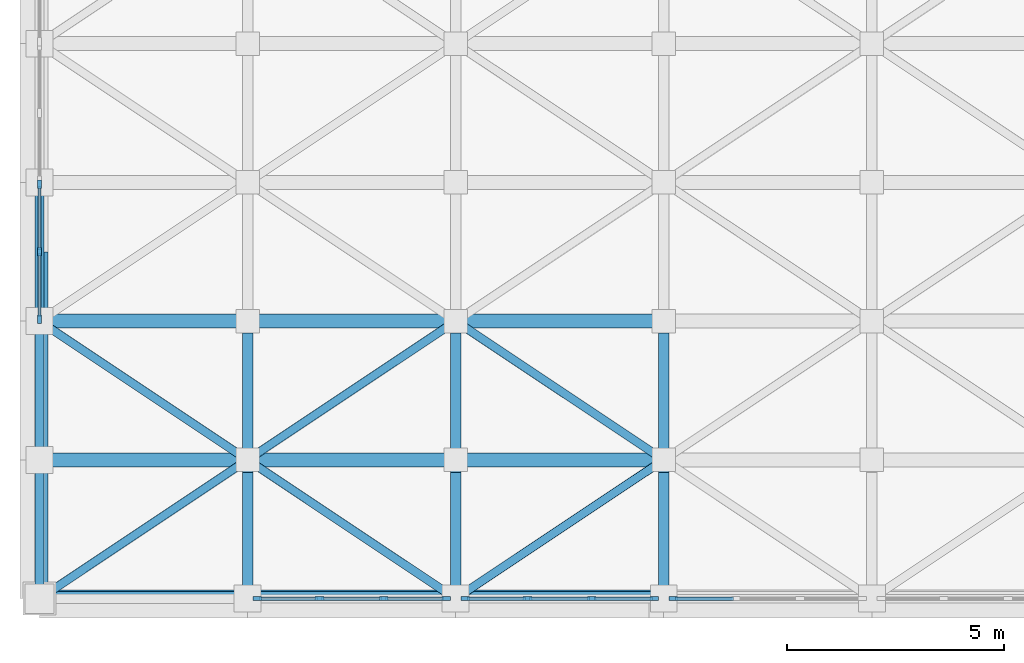
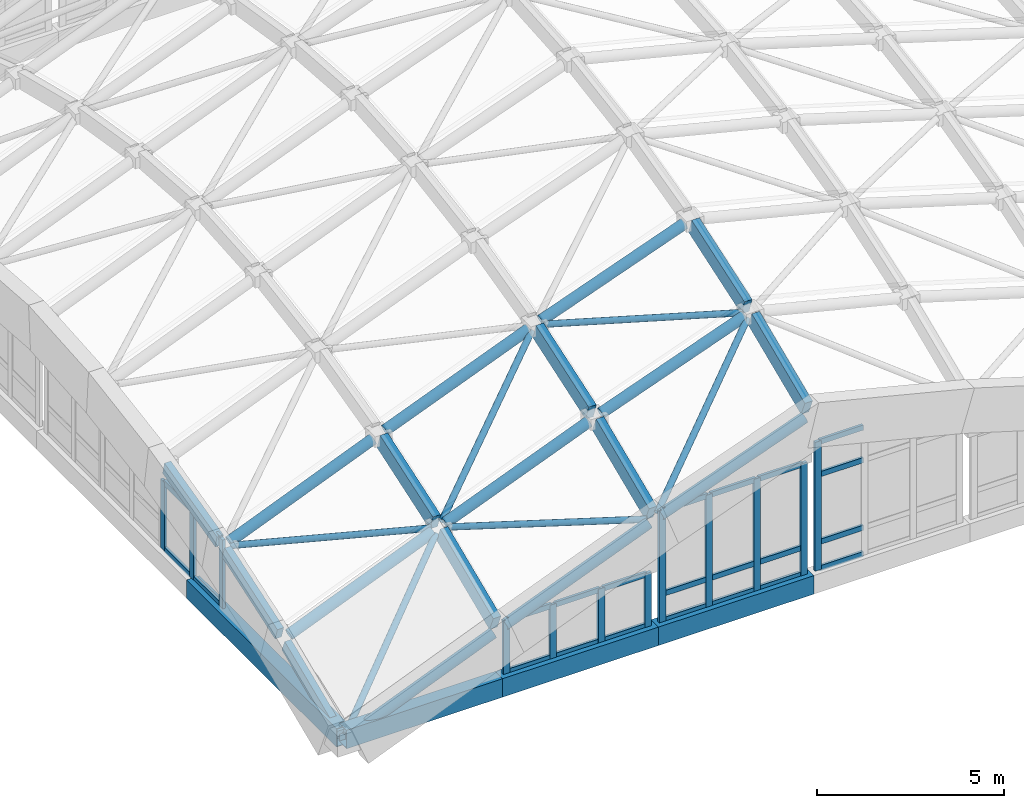
# One storey, part 2 of 14: 59 members, 4 beams, 4 elements without a shape of their own.
"""IFC4 building model written with IfcOpenShell, lengths in metres."""

from ifc_helpers import new_model, si_unit, direction, frame, origin, origin_2d, place, context, subcontext, project, spatial, rectangle, hollow_rectangle, hollow_circle, extrude, material, material_profile, profile_set, type_object, element, aggregate, save


model = new_model("IFC4")

# Units and contexts
model_context = context("Model", 3, precision=1e-05, world=origin(), true_north=direction((0.0, 1.0)))
body_context = subcontext(model_context, "Body", "Model", "MODEL_VIEW")
ifc_project = project(units=[si_unit("LENGTHUNIT", "METRE"), si_unit("AREAUNIT", "SQUARE_METRE"), si_unit("VOLUMEUNIT", "CUBIC_METRE"), si_unit("PLANEANGLEUNIT", "RADIAN"), si_unit("MASSUNIT", "GRAM", prefix="KILO")], contexts=[model_context])

# Site, building, storey
site_placement = place(None, origin())
site = spatial("IfcSite", under=ifc_project, at=site_placement, CompositionType="ELEMENT")
building_placement = place(site_placement, origin())
building = spatial("IfcBuilding", under=site, at=building_placement, Name="Dunescarp Central Library", CompositionType="ELEMENT")
storey_placement = place(building_placement, frame((0.0, 0.0, 31.800048828125)))
storey = spatial("IfcBuildingStorey", under=building, at=storey_placement, Name="ROOF", CompositionType="ELEMENT", Elevation=31.800048828125)

# Curtain wall, members
ifc_material_1 = material(Name="Marine-grade anodised aluminium 6063-T6", Category="aluminium")
curtain_wall_type = type_object("IfcCurtainWallType", Name="ARC-CW-CROWN", PredefinedType="NOTDEFINED", material=ifc_material_1)
curtain_wall_1_placement = place(storey_placement, origin())
curtain_wall_1 = element("IfcCurtainWall", 1, at=curtain_wall_1_placement, inside=storey, type_object=curtain_wall_type, Name="ROOF curtain wall CW-CROWN-S2", PredefinedType="NOTDEFINED")
ifc_material_profile_1 = material_profile(ifc_material_1, rectangle(XDim=0.090087890625, YDim=0.199951171875, at=origin_2d()), Name="AL 90x200")
ifc_profile_set_1 = profile_set([ifc_material_profile_1], Name="Marine-grade anodised aluminium 6063-T6")
member_type_1 = type_object("IfcMemberType", Name="ARC-CWM-200", PredefinedType="MULLION", material=ifc_profile_set_1)
member_1_placement = place(storey_placement, frame((9.3798828125, 4.800048828125, 0.0), z_axis=(0.0, 0.0, 1.0), x_axis=(0.0, -1.0, 0.0)))
member_1 = element("IfcMember", 2, at=member_1_placement, type_object=member_type_1, Name="CW-CROWN-S2 mullion 1", PredefinedType="MULLION", context=body_context, shape_type="SweptSolid", body=[
    extrude(rectangle(XDim=0.090087890625, YDim=0.199951171875, at=origin_2d()), origin(), (0.0, 0.0, 1.0), 1.75),
])
member_2_placement = place(storey_placement, frame((7.941650390625, 4.800048828125, 0.0), z_axis=(0.0, 0.0, 1.0), x_axis=(0.0, -1.0, 0.0)))
member_2 = element("IfcMember", 3, at=member_2_placement, type_object=member_type_1, Name="CW-CROWN-S2 mullion 2", PredefinedType="MULLION", context=body_context, shape_type="SweptSolid", body=[
    extrude(rectangle(XDim=0.090087890625, YDim=0.199951171875, at=origin_2d()), origin(), (0.0, 0.0, 1.0), 1.75),
])
member_3_placement = place(storey_placement, frame((6.458251953125, 4.800048828125, 0.0), z_axis=(0.0, 0.0, 1.0), x_axis=(0.0, -1.0, 0.0)))
member_3 = element("IfcMember", 4, at=member_3_placement, type_object=member_type_1, Name="CW-CROWN-S2 mullion 3", PredefinedType="MULLION", context=body_context, shape_type="SweptSolid", body=[
    extrude(rectangle(XDim=0.090087890625, YDim=0.199951171875, at=origin_2d()), origin(), (0.0, 0.0, 1.0), 1.75),
])
member_4_placement = place(storey_placement, frame((5.02001953125, 4.800048828125, 0.0), z_axis=(0.0, 0.0, 1.0), x_axis=(0.0, -1.0, 0.0)))
member_4 = element("IfcMember", 5, at=member_4_placement, type_object=member_type_1, Name="CW-CROWN-S2 mullion 4", PredefinedType="MULLION", context=body_context, shape_type="SweptSolid", body=[
    extrude(rectangle(XDim=0.090087890625, YDim=0.199951171875, at=origin_2d()), origin(), (0.0, 0.0, 1.0), 1.75),
])

curtain_wall_2_placement = place(storey_placement, origin())
curtain_wall_2 = element("IfcCurtainWall", 6, at=curtain_wall_2_placement, inside=storey, type_object=curtain_wall_type, Name="ROOF curtain wall CW-CROWN-S3", PredefinedType="NOTDEFINED")
member_5_placement = place(storey_placement, frame((14.179931640625, 4.800048828125, 0.0), z_axis=(0.0, 0.0, 1.0), x_axis=(0.0, -1.0, 0.0)))
member_5 = element("IfcMember", 7, at=member_5_placement, type_object=member_type_1, Name="CW-CROWN-S3 mullion 1", PredefinedType="MULLION", context=body_context, shape_type="SweptSolid", body=[
    extrude(rectangle(XDim=0.090087890625, YDim=0.199951171875, at=origin_2d()), origin(), (0.0, 0.0, 1.0), 3.64990234375),
])
member_6_placement = place(storey_placement, frame((12.74169921875, 4.800048828125, 0.0), z_axis=(0.0, 0.0, 1.0), x_axis=(0.0, -1.0, 0.0)))
member_6 = element("IfcMember", 8, at=member_6_placement, type_object=member_type_1, Name="CW-CROWN-S3 mullion 2", PredefinedType="MULLION", context=body_context, shape_type="SweptSolid", body=[
    extrude(rectangle(XDim=0.090087890625, YDim=0.199951171875, at=origin_2d()), origin(), (0.0, 0.0, 1.0), 3.64990234375),
])
member_7_placement = place(storey_placement, frame((11.25830078125, 4.800048828125, 0.0), z_axis=(0.0, 0.0, 1.0), x_axis=(0.0, -1.0, 0.0)))
member_7 = element("IfcMember", 9, at=member_7_placement, type_object=member_type_1, Name="CW-CROWN-S3 mullion 3", PredefinedType="MULLION", context=body_context, shape_type="SweptSolid", body=[
    extrude(rectangle(XDim=0.090087890625, YDim=0.199951171875, at=origin_2d()), origin(), (0.0, 0.0, 1.0), 3.64990234375),
])
member_8_placement = place(storey_placement, frame((9.820068359375, 4.800048828125, 0.0), z_axis=(0.0, 0.0, 1.0), x_axis=(0.0, -1.0, 0.0)))
member_8 = element("IfcMember", 10, at=member_8_placement, type_object=member_type_1, Name="CW-CROWN-S3 mullion 4", PredefinedType="MULLION", context=body_context, shape_type="SweptSolid", body=[
    extrude(rectangle(XDim=0.090087890625, YDim=0.199951171875, at=origin_2d()), origin(), (0.0, 0.0, 1.0), 3.64990234375),
])

# Curtain wall, member
curtain_wall_3_placement = place(storey_placement, origin())
curtain_wall_3 = element("IfcCurtainWall", 11, at=curtain_wall_3_placement, inside=storey, type_object=curtain_wall_type, Name="ROOF curtain wall CW-CROWN-S4", PredefinedType="NOTDEFINED")
member_9_placement = place(storey_placement, frame((14.6201171875, 4.800048828125, 0.0), z_axis=(0.0, 0.0, 1.0), x_axis=(0.0, -1.0, 0.0)))
member_9 = element("IfcMember", 12, at=member_9_placement, type_object=member_type_1, Name="CW-CROWN-S4 mullion 4", PredefinedType="MULLION", context=body_context, shape_type="SweptSolid", body=[
    extrude(rectangle(XDim=0.090087890625, YDim=0.199951171875, at=origin_2d()), origin(), (0.0, 0.0, 1.0), 4.199951171875),
])

# Curtain wall, members
curtain_wall_4_placement = place(storey_placement, origin())
curtain_wall_4 = element("IfcCurtainWall", 13, at=curtain_wall_4_placement, inside=storey, type_object=curtain_wall_type, Name="ROOF curtain wall CW-CROWN-W3", PredefinedType="NOTDEFINED")
member_10_placement = place(storey_placement, frame((0.0, 11.2451171875, 0.0), z_axis=(0.0, 0.0, 1.0), x_axis=(-1.0, 0.0, 0.0)))
member_10 = element("IfcMember", 14, at=member_10_placement, type_object=member_type_1, Name="CW-CROWN-W3 mullion 1", PredefinedType="MULLION", context=body_context, shape_type="SweptSolid", body=[
    extrude(rectangle(XDim=0.090087890625, YDim=0.199951171875, at=origin_2d()), origin(), (0.0, 0.0, 1.0), 2.239990234375),
])
member_11_placement = place(storey_placement, frame((0.0, 12.800048828125, 0.0), z_axis=(0.0, 0.0, 1.0), x_axis=(-1.0, 0.0, 0.0)))
member_11 = element("IfcMember", 15, at=member_11_placement, type_object=member_type_1, Name="CW-CROWN-W3 mullion 2", PredefinedType="MULLION", context=body_context, shape_type="SweptSolid", body=[
    extrude(rectangle(XDim=0.090087890625, YDim=0.199951171875, at=origin_2d()), origin(), (0.0, 0.0, 1.0), 2.239990234375),
])
member_12_placement = place(storey_placement, frame((0.0, 14.35498046875, 0.0), z_axis=(0.0, 0.0, 1.0), x_axis=(-1.0, 0.0, 0.0)))
member_12 = element("IfcMember", 16, at=member_12_placement, type_object=member_type_1, Name="CW-CROWN-W3 mullion 3", PredefinedType="MULLION", context=body_context, shape_type="SweptSolid", body=[
    extrude(rectangle(XDim=0.090087890625, YDim=0.199951171875, at=origin_2d()), origin(), (0.0, 0.0, 1.0), 2.239990234375),
])

# Member
ifc_material_profile_2 = material_profile(ifc_material_1, rectangle(XDim=0.080078125, YDim=0.169921875, at=origin_2d()), Name="AL 80x170")
ifc_profile_set_2 = profile_set([ifc_material_profile_2], Name="Marine-grade anodised aluminium 6063-T6")
member_type_2 = type_object("IfcMemberType", Name="ARC-CWT-170", PredefinedType="USERDEFINED", material=ifc_profile_set_2)
member_13_placement = place(storey_placement, frame((9.3349609375, 4.800048828125, 0.0400390625), z_axis=(-1.0, 0.0, 0.0), x_axis=(0.0, -1.0, 0.0)))
member_13 = element("IfcMember", 17, at=member_13_placement, type_object=member_type_2, Name="CW-CROWN-S2 transom 1.1", ObjectType="TRANSOM", PredefinedType="USERDEFINED", context=body_context, shape_type="SweptSolid", body=[
    extrude(rectangle(XDim=0.080078125, YDim=0.169921875, at=origin_2d()), origin(), (0.0, 0.0, 1.0), 1.348388671875),
])

member_14_placement = place(storey_placement, frame((9.3349609375, 4.800048828125, 1.7099609375), z_axis=(-1.0, 0.0, 0.0), x_axis=(0.0, -1.0, 0.0)))
member_14 = element("IfcMember", 18, at=member_14_placement, type_object=member_type_2, Name="CW-CROWN-S2 transom 1.2", ObjectType="TRANSOM", PredefinedType="USERDEFINED", context=body_context, shape_type="SweptSolid", body=[
    extrude(rectangle(XDim=0.080078125, YDim=0.169921875, at=origin_2d()), origin(), (0.0, 0.0, 1.0), 1.348388671875),
])

member_15_placement = place(storey_placement, frame((7.896728515625, 4.800048828125, 0.0400390625), z_axis=(-1.0, 0.0, 0.0), x_axis=(0.0, -1.0, 0.0)))
member_15 = element("IfcMember", 19, at=member_15_placement, type_object=member_type_2, Name="CW-CROWN-S2 transom 2.1", ObjectType="TRANSOM", PredefinedType="USERDEFINED", context=body_context, shape_type="SweptSolid", body=[
    extrude(rectangle(XDim=0.080078125, YDim=0.169921875, at=origin_2d()), origin(), (0.0, 0.0, 1.0), 1.393310546875),
])

member_16_placement = place(storey_placement, frame((7.896728515625, 4.800048828125, 1.7099609375), z_axis=(-1.0, 0.0, 0.0), x_axis=(0.0, -1.0, 0.0)))
member_16 = element("IfcMember", 20, at=member_16_placement, type_object=member_type_2, Name="CW-CROWN-S2 transom 2.2", ObjectType="TRANSOM", PredefinedType="USERDEFINED", context=body_context, shape_type="SweptSolid", body=[
    extrude(rectangle(XDim=0.080078125, YDim=0.169921875, at=origin_2d()), origin(), (0.0, 0.0, 1.0), 1.393310546875),
])

member_17_placement = place(storey_placement, frame((6.413330078125, 4.800048828125, 0.0400390625), z_axis=(-1.0, 0.0, 0.0), x_axis=(0.0, -1.0, 0.0)))
member_17 = element("IfcMember", 21, at=member_17_placement, type_object=member_type_2, Name="CW-CROWN-S2 transom 3.1", ObjectType="TRANSOM", PredefinedType="USERDEFINED", context=body_context, shape_type="SweptSolid", body=[
    extrude(rectangle(XDim=0.080078125, YDim=0.169921875, at=origin_2d()), origin(), (0.0, 0.0, 1.0), 1.348388671875),
])

member_18_placement = place(storey_placement, frame((6.413330078125, 4.800048828125, 1.7099609375), z_axis=(-1.0, 0.0, 0.0), x_axis=(0.0, -1.0, 0.0)))
member_18 = element("IfcMember", 22, at=member_18_placement, type_object=member_type_2, Name="CW-CROWN-S2 transom 3.2", ObjectType="TRANSOM", PredefinedType="USERDEFINED", context=body_context, shape_type="SweptSolid", body=[
    extrude(rectangle(XDim=0.080078125, YDim=0.169921875, at=origin_2d()), origin(), (0.0, 0.0, 1.0), 1.348388671875),
])

aggregate(curtain_wall_1, [member_1, member_2, member_3, member_4, member_13, member_14, member_15, member_16, member_17, member_18])

member_19_placement = place(storey_placement, frame((14.135009765625, 4.800048828125, 0.0400390625), z_axis=(-1.0, 0.0, 0.0), x_axis=(0.0, -1.0, 0.0)))
member_19 = element("IfcMember", 23, at=member_19_placement, type_object=member_type_2, Name="CW-CROWN-S3 transom 1.1", ObjectType="TRANSOM", PredefinedType="USERDEFINED", context=body_context, shape_type="SweptSolid", body=[
    extrude(rectangle(XDim=0.080078125, YDim=0.169921875, at=origin_2d()), origin(), (0.0, 0.0, 1.0), 1.348388671875),
])

member_20_placement = place(storey_placement, frame((14.135009765625, 4.800048828125, 0.89990234375), z_axis=(-1.0, 0.0, 0.0), x_axis=(0.0, -1.0, 0.0)))
member_20 = element("IfcMember", 24, at=member_20_placement, type_object=member_type_2, Name="CW-CROWN-S3 transom 1.2", ObjectType="TRANSOM", PredefinedType="USERDEFINED", context=body_context, shape_type="SweptSolid", body=[
    extrude(rectangle(XDim=0.080078125, YDim=0.169921875, at=origin_2d()), origin(), (0.0, 0.0, 1.0), 1.348388671875),
])

member_21_placement = place(storey_placement, frame((14.135009765625, 4.800048828125, 3.60986328125), z_axis=(-1.0, 0.0, 0.0), x_axis=(0.0, -1.0, 0.0)))
member_21 = element("IfcMember", 25, at=member_21_placement, type_object=member_type_2, Name="CW-CROWN-S3 transom 1.3", ObjectType="TRANSOM", PredefinedType="USERDEFINED", context=body_context, shape_type="SweptSolid", body=[
    extrude(rectangle(XDim=0.080078125, YDim=0.169921875, at=origin_2d()), origin(), (0.0, 0.0, 1.0), 1.348388671875),
])

member_22_placement = place(storey_placement, frame((12.69677734375, 4.800048828125, 0.0400390625), z_axis=(-1.0, 0.0, 0.0), x_axis=(0.0, -1.0, 0.0)))
member_22 = element("IfcMember", 26, at=member_22_placement, type_object=member_type_2, Name="CW-CROWN-S3 transom 2.1", ObjectType="TRANSOM", PredefinedType="USERDEFINED", context=body_context, shape_type="SweptSolid", body=[
    extrude(rectangle(XDim=0.080078125, YDim=0.169921875, at=origin_2d()), origin(), (0.0, 0.0, 1.0), 1.3935546875),
])

member_23_placement = place(storey_placement, frame((12.69677734375, 4.800048828125, 0.89990234375), z_axis=(-1.0, 0.0, 0.0), x_axis=(0.0, -1.0, 0.0)))
member_23 = element("IfcMember", 27, at=member_23_placement, type_object=member_type_2, Name="CW-CROWN-S3 transom 2.2", ObjectType="TRANSOM", PredefinedType="USERDEFINED", context=body_context, shape_type="SweptSolid", body=[
    extrude(rectangle(XDim=0.080078125, YDim=0.169921875, at=origin_2d()), origin(), (0.0, 0.0, 1.0), 1.3935546875),
])

member_24_placement = place(storey_placement, frame((12.69677734375, 4.800048828125, 3.60986328125), z_axis=(-1.0, 0.0, 0.0), x_axis=(0.0, -1.0, 0.0)))
member_24 = element("IfcMember", 28, at=member_24_placement, type_object=member_type_2, Name="CW-CROWN-S3 transom 2.3", ObjectType="TRANSOM", PredefinedType="USERDEFINED", context=body_context, shape_type="SweptSolid", body=[
    extrude(rectangle(XDim=0.080078125, YDim=0.169921875, at=origin_2d()), origin(), (0.0, 0.0, 1.0), 1.3935546875),
])

member_25_placement = place(storey_placement, frame((11.21337890625, 4.800048828125, 0.0400390625), z_axis=(-1.0, 0.0, 0.0), x_axis=(0.0, -1.0, 0.0)))
member_25 = element("IfcMember", 29, at=member_25_placement, type_object=member_type_2, Name="CW-CROWN-S3 transom 3.1", ObjectType="TRANSOM", PredefinedType="USERDEFINED", context=body_context, shape_type="SweptSolid", body=[
    extrude(rectangle(XDim=0.080078125, YDim=0.169921875, at=origin_2d()), origin(), (0.0, 0.0, 1.0), 1.348388671875),
])

member_26_placement = place(storey_placement, frame((11.21337890625, 4.800048828125, 0.89990234375), z_axis=(-1.0, 0.0, 0.0), x_axis=(0.0, -1.0, 0.0)))
member_26 = element("IfcMember", 30, at=member_26_placement, type_object=member_type_2, Name="CW-CROWN-S3 transom 3.2", ObjectType="TRANSOM", PredefinedType="USERDEFINED", context=body_context, shape_type="SweptSolid", body=[
    extrude(rectangle(XDim=0.080078125, YDim=0.169921875, at=origin_2d()), origin(), (0.0, 0.0, 1.0), 1.348388671875),
])

member_27_placement = place(storey_placement, frame((11.21337890625, 4.800048828125, 3.60986328125), z_axis=(-1.0, 0.0, 0.0), x_axis=(0.0, -1.0, 0.0)))
member_27 = element("IfcMember", 31, at=member_27_placement, type_object=member_type_2, Name="CW-CROWN-S3 transom 3.3", ObjectType="TRANSOM", PredefinedType="USERDEFINED", context=body_context, shape_type="SweptSolid", body=[
    extrude(rectangle(XDim=0.080078125, YDim=0.169921875, at=origin_2d()), origin(), (0.0, 0.0, 1.0), 1.348388671875),
])

aggregate(curtain_wall_2, [member_5, member_6, member_7, member_8, member_19, member_20, member_21, member_22, member_23, member_24, member_25, member_26, member_27])

member_28_placement = place(storey_placement, frame((16.013427734375, 4.800048828125, 0.0400390625), z_axis=(-1.0, 0.0, 0.0), x_axis=(0.0, -1.0, 0.0)))
member_28 = element("IfcMember", 32, at=member_28_placement, type_object=member_type_2, Name="CW-CROWN-S4 transom 3.1", ObjectType="TRANSOM", PredefinedType="USERDEFINED", context=body_context, shape_type="SweptSolid", body=[
    extrude(rectangle(XDim=0.080078125, YDim=0.169921875, at=origin_2d()), origin(), (0.0, 0.0, 1.0), 1.348388671875),
])

member_29_placement = place(storey_placement, frame((16.013427734375, 4.800048828125, 0.89990234375), z_axis=(-1.0, 0.0, 0.0), x_axis=(0.0, -1.0, 0.0)))
member_29 = element("IfcMember", 33, at=member_29_placement, type_object=member_type_2, Name="CW-CROWN-S4 transom 3.2", ObjectType="TRANSOM", PredefinedType="USERDEFINED", context=body_context, shape_type="SweptSolid", body=[
    extrude(rectangle(XDim=0.080078125, YDim=0.169921875, at=origin_2d()), origin(), (0.0, 0.0, 1.0), 1.348388671875),
])

member_30_placement = place(storey_placement, frame((16.013427734375, 4.800048828125, 3.099853515625), z_axis=(-1.0, 0.0, 0.0), x_axis=(0.0, -1.0, 0.0)))
member_30 = element("IfcMember", 34, at=member_30_placement, type_object=member_type_2, Name="CW-CROWN-S4 transom 3.3", ObjectType="TRANSOM", PredefinedType="USERDEFINED", context=body_context, shape_type="SweptSolid", body=[
    extrude(rectangle(XDim=0.080078125, YDim=0.169921875, at=origin_2d()), origin(), (0.0, 0.0, 1.0), 1.348388671875),
])

member_31_placement = place(storey_placement, frame((16.013427734375, 4.800048828125, 4.159912109375), z_axis=(-1.0, 0.0, 0.0), x_axis=(0.0, -1.0, 0.0)))
member_31 = element("IfcMember", 35, at=member_31_placement, type_object=member_type_2, Name="CW-CROWN-S4 transom 3.4", ObjectType="TRANSOM", PredefinedType="USERDEFINED", context=body_context, shape_type="SweptSolid", body=[
    extrude(rectangle(XDim=0.080078125, YDim=0.169921875, at=origin_2d()), origin(), (0.0, 0.0, 1.0), 1.348388671875),
])

aggregate(curtain_wall_3, [member_9, member_28, member_29, member_30, member_31])

member_32_placement = place(storey_placement, frame((0.0, 11.2900390625, 0.0400390625), z_axis=(0.0, 1.0, 0.0), x_axis=(-1.0, 0.0, 0.0)))
member_32 = element("IfcMember", 36, at=member_32_placement, type_object=member_type_2, Name="CW-CROWN-W3 transom 1.1", ObjectType="TRANSOM", PredefinedType="USERDEFINED", context=body_context, shape_type="SweptSolid", body=[
    extrude(rectangle(XDim=0.080078125, YDim=0.169921875, at=origin_2d()), origin(), (0.0, 0.0, 1.0), 1.46484375),
])

member_33_placement = place(storey_placement, frame((0.0, 11.2900390625, 2.199951171875), z_axis=(0.0, 1.0, 0.0), x_axis=(-1.0, 0.0, 0.0)))
member_33 = element("IfcMember", 37, at=member_33_placement, type_object=member_type_2, Name="CW-CROWN-W3 transom 1.2", ObjectType="TRANSOM", PredefinedType="USERDEFINED", context=body_context, shape_type="SweptSolid", body=[
    extrude(rectangle(XDim=0.080078125, YDim=0.169921875, at=origin_2d()), origin(), (0.0, 0.0, 1.0), 1.46484375),
])

member_34_placement = place(storey_placement, frame((0.0, 12.844970703125, 0.0400390625), z_axis=(0.0, 1.0, 0.0), x_axis=(-1.0, 0.0, 0.0)))
member_34 = element("IfcMember", 38, at=member_34_placement, type_object=member_type_2, Name="CW-CROWN-W3 transom 2.1", ObjectType="TRANSOM", PredefinedType="USERDEFINED", context=body_context, shape_type="SweptSolid", body=[
    extrude(rectangle(XDim=0.080078125, YDim=0.169921875, at=origin_2d()), origin(), (0.0, 0.0, 1.0), 1.465087890625),
])

member_35_placement = place(storey_placement, frame((0.0, 12.844970703125, 2.199951171875), z_axis=(0.0, 1.0, 0.0), x_axis=(-1.0, 0.0, 0.0)))
member_35 = element("IfcMember", 39, at=member_35_placement, type_object=member_type_2, Name="CW-CROWN-W3 transom 2.2", ObjectType="TRANSOM", PredefinedType="USERDEFINED", context=body_context, shape_type="SweptSolid", body=[
    extrude(rectangle(XDim=0.080078125, YDim=0.169921875, at=origin_2d()), origin(), (0.0, 0.0, 1.0), 1.465087890625),
])

aggregate(curtain_wall_4, [member_10, member_11, member_12, member_32, member_33, member_34, member_35])

# Members
ifc_material_2 = material(Name="Steel S355J0", Category="steel")
ifc_material_profile_3 = material_profile(ifc_material_2, hollow_circle(Radius=0.161865234375, WallThickness=0.012451171875, at=origin_2d()), Name="CHS 323.9x12.5")
ifc_profile_set_3 = profile_set([ifc_material_profile_3], Name="Steel S355J0")
member_type_3 = type_object("IfcMemberType", Name="STR-GS-ARCH", PredefinedType="USERDEFINED", material=ifc_profile_set_3)
member_36_placement = place(storey_placement, frame((0.18505859375, 4.800048828125, -0.364990234375), z_axis=(0.926438199705, 0.0, 0.376446891509), x_axis=(0.0, 1.0, 0.0)))
element("IfcMember", 40, at=member_36_placement, inside=storey, type_object=member_type_3, Name="Gridshell arch rib GS-A-000", ObjectType="ARCH_SEGMENT", PredefinedType="USERDEFINED", context=body_context, shape_type="SweptSolid", body=[
    extrude(hollow_circle(Radius=0.161865234375, WallThickness=0.012451171875, at=origin_2d()), origin(), (0.0, 0.0, 1.0), 4.78173828125),
])
member_37_placement = place(storey_placement, frame((4.986083984375, 4.800048828125, 1.583984375), z_axis=(0.929863257508, 0.0, 0.36790531708), x_axis=(0.0, 1.0, 0.0)))
element("IfcMember", 41, at=member_37_placement, inside=storey, type_object=member_type_3, Name="Gridshell arch rib GS-A-100", ObjectType="ARCH_SEGMENT", PredefinedType="USERDEFINED", context=body_context, shape_type="SweptSolid", body=[
    extrude(hollow_circle(Radius=0.161865234375, WallThickness=0.012451171875, at=origin_2d()), origin(), (0.0, 0.0, 1.0), 4.761962890625),
])
member_38_placement = place(storey_placement, frame((9.7880859375, 4.800048828125, 3.47900390625), z_axis=(0.939561575961, 0.0, 0.342379971637), x_axis=(0.0, 1.0, 0.0)))
element("IfcMember", 42, at=member_38_placement, inside=storey, type_object=member_type_3, Name="Gridshell arch rib GS-A-200", ObjectType="ARCH_SEGMENT", PredefinedType="USERDEFINED", context=body_context, shape_type="SweptSolid", body=[
    extrude(hollow_circle(Radius=0.161865234375, WallThickness=0.012451171875, at=origin_2d()), origin(), (0.0, 0.0, 1.0), 4.70849609375),
])
member_39_placement = place(storey_placement, frame((0.18505859375, 8.0, 0.994873046875), z_axis=(0.926438199705, 0.0, 0.376446891509), x_axis=(0.0, 1.0, 0.0)))
element("IfcMember", 43, at=member_39_placement, inside=storey, type_object=member_type_3, Name="Gridshell arch rib GS-A-001", ObjectType="ARCH_SEGMENT", PredefinedType="USERDEFINED", context=body_context, shape_type="SweptSolid", body=[
    extrude(hollow_circle(Radius=0.161865234375, WallThickness=0.012451171875, at=origin_2d()), origin(), (0.0, 0.0, 1.0), 4.78173828125),
])
member_40_placement = place(storey_placement, frame((4.986083984375, 8.0, 2.94384765625), z_axis=(0.929845717623, 0.0, 0.367949645221), x_axis=(0.0, 1.0, 0.0)))
element("IfcMember", 44, at=member_40_placement, inside=storey, type_object=member_type_3, Name="Gridshell arch rib GS-A-101", ObjectType="ARCH_SEGMENT", PredefinedType="USERDEFINED", context=body_context, shape_type="SweptSolid", body=[
    extrude(hollow_circle(Radius=0.161865234375, WallThickness=0.012451171875, at=origin_2d()), origin(), (0.0, 0.0, 1.0), 4.761962890625),
])
member_41_placement = place(storey_placement, frame((9.7880859375, 8.0, 4.8388671875), z_axis=(0.939561575961, 0.0, 0.342379971637), x_axis=(0.0, 1.0, 0.0)))
element("IfcMember", 45, at=member_41_placement, inside=storey, type_object=member_type_3, Name="Gridshell arch rib GS-A-201", ObjectType="ARCH_SEGMENT", PredefinedType="USERDEFINED", context=body_context, shape_type="SweptSolid", body=[
    extrude(hollow_circle(Radius=0.161865234375, WallThickness=0.012451171875, at=origin_2d()), origin(), (0.0, 0.0, 1.0), 4.70849609375),
])
member_42_placement = place(storey_placement, frame((0.18505859375, 11.199951171875, 2.074951171875), z_axis=(0.926438199705, 0.0, 0.376446891509), x_axis=(0.0, 1.0, 0.0)))
element("IfcMember", 46, at=member_42_placement, inside=storey, type_object=member_type_3, Name="Gridshell arch rib GS-A-002", ObjectType="ARCH_SEGMENT", PredefinedType="USERDEFINED", context=body_context, shape_type="SweptSolid", body=[
    extrude(hollow_circle(Radius=0.161865234375, WallThickness=0.012451171875, at=origin_2d()), origin(), (0.0, 0.0, 1.0), 4.78173828125),
])
member_43_placement = place(storey_placement, frame((4.986083984375, 11.199951171875, 4.02392578125), z_axis=(0.929863257508, 0.0, 0.36790531708), x_axis=(0.0, 1.0, 0.0)))
element("IfcMember", 47, at=member_43_placement, inside=storey, type_object=member_type_3, Name="Gridshell arch rib GS-A-102", ObjectType="ARCH_SEGMENT", PredefinedType="USERDEFINED", context=body_context, shape_type="SweptSolid", body=[
    extrude(hollow_circle(Radius=0.161865234375, WallThickness=0.012451171875, at=origin_2d()), origin(), (0.0, 0.0, 1.0), 4.761962890625),
])
member_44_placement = place(storey_placement, frame((9.7880859375, 11.199951171875, 5.9189453125), z_axis=(0.939561575961, 0.0, 0.342379971637), x_axis=(0.0, 1.0, 0.0)))
element("IfcMember", 48, at=member_44_placement, inside=storey, type_object=member_type_3, Name="Gridshell arch rib GS-A-202", ObjectType="ARCH_SEGMENT", PredefinedType="USERDEFINED", context=body_context, shape_type="SweptSolid", body=[
    extrude(hollow_circle(Radius=0.161865234375, WallThickness=0.012451171875, at=origin_2d()), origin(), (0.0, 0.0, 1.0), 4.70849609375),
])
ifc_material_profile_4 = material_profile(ifc_material_2, hollow_circle(Radius=0.096923828125, WallThickness=0.008056640625, at=origin_2d()), Name="CHS 193.7x8")
ifc_profile_set_4 = profile_set([ifc_material_profile_4], Name="Steel S355J0")
member_type_4 = type_object("IfcMemberType", Name="STR-GS-DIAG", PredefinedType="BRACE", material=ifc_profile_set_4)
member_45_placement = place(storey_placement, frame((0.14404296875, 4.89599609375, -0.340087890625), z_axis=(0.721761808249, 0.48118755692, 0.49751223826), x_axis=(-0.554710585772, 0.83204336788, 0.0)))
element("IfcMember", 49, at=member_45_placement, inside=storey, type_object=member_type_4, Name="Gridshell diagonal GS-D-000", PredefinedType="BRACE", context=body_context, shape_type="SweptSolid", body=[
    extrude(hollow_circle(Radius=0.096923828125, WallThickness=0.008056640625, at=origin_2d()), origin(), (0.0, 0.0, 1.0), 6.251220703125),
])
member_46_placement = place(storey_placement, frame((4.635009765625, 8.110107421875, 2.83984375), z_axis=(-0.822755171244, 0.548503447496, -0.149056688132), x_axis=(-0.554700196225, -0.832050294338, 0.0)))
element("IfcMember", 50, at=member_46_placement, inside=storey, type_object=member_type_4, Name="Gridshell diagonal GS-D-001", PredefinedType="BRACE", context=body_context, shape_type="SweptSolid", body=[
    extrude(hollow_circle(Radius=0.096923828125, WallThickness=0.008056640625, at=origin_2d()), origin(), (0.0, 0.0, 1.0), 5.432861328125),
])
member_47_placement = place(storey_placement, frame((9.43408203125, 4.909912109375, 3.390869140625), z_axis=(-0.828328388282, 0.552460319511, -0.093057383001), x_axis=(-0.554868032186, -0.831938379243, 0.0)))
element("IfcMember", 51, at=member_47_placement, inside=storey, type_object=member_type_4, Name="Gridshell diagonal GS-D-100", PredefinedType="BRACE", context=body_context, shape_type="SweptSolid", body=[
    extrude(hollow_circle(Radius=0.096923828125, WallThickness=0.008056640625, at=origin_2d()), origin(), (0.0, 0.0, 1.0), 5.39404296875),
])
member_48_placement = place(storey_placement, frame((4.947998046875, 8.09912109375, 2.9619140625), z_axis=(0.739286560301, 0.492750842664, 0.45896839631), x_axis=(-0.554616921801, 0.832105804602, 0.0)))
element("IfcMember", 52, at=member_48_placement, inside=storey, type_object=member_type_4, Name="Gridshell diagonal GS-D-101", PredefinedType="BRACE", context=body_context, shape_type="SweptSolid", body=[
    extrude(hollow_circle(Radius=0.096923828125, WallThickness=0.008056640625, at=origin_2d()), origin(), (0.0, 0.0, 1.0), 6.09228515625),
])
member_49_placement = place(storey_placement, frame((9.74609375, 4.89794921875, 3.5048828125), z_axis=(0.732492063878, 0.488156133341, 0.474509184144), x_axis=(-0.554564984111, 0.83214041988, 0.0)))
element("IfcMember", 53, at=member_49_placement, inside=storey, type_object=member_type_4, Name="Gridshell diagonal GS-D-200", PredefinedType="BRACE", context=body_context, shape_type="SweptSolid", body=[
    extrude(hollow_circle(Radius=0.096923828125, WallThickness=0.008056640625, at=origin_2d()), origin(), (0.0, 0.0, 1.0), 6.154052734375),
])
member_50_placement = place(storey_placement, frame((14.235107421875, 8.110107421875, 6.4970703125), z_axis=(-0.826507561377, 0.550974947797, -0.115377024952), x_axis=(-0.554679222282, -0.832064276585, 0.0)))
element("IfcMember", 54, at=member_50_placement, inside=storey, type_object=member_type_4, Name="Gridshell diagonal GS-D-201", PredefinedType="BRACE", context=body_context, shape_type="SweptSolid", body=[
    extrude(hollow_circle(Radius=0.096923828125, WallThickness=0.008056640625, at=origin_2d()), origin(), (0.0, 0.0, 1.0), 5.408447265625),
])
ifc_material_3 = material(Name="Glulam GL28h", Category="wood")
ifc_material_profile_5 = material_profile(ifc_material_3, rectangle(XDim=0.239990234375, YDim=0.52001953125, at=origin_2d()), Name="GL28h 240x520")
ifc_profile_set_5 = profile_set([ifc_material_profile_5], Name="Glulam GL28h")
member_type_5 = type_object("IfcMemberType", Name="STR-GS-GLULAM", PredefinedType="CHORD", material=ifc_profile_set_5)
member_51_placement = place(storey_placement, frame((4.800048828125, 4.98388671875, 1.587890625), z_axis=(0.0, 0.920273791564, 0.39127502931), x_axis=(-1.0, 0.0, 0.0)))
element("IfcMember", 55, at=member_51_placement, inside=storey, type_object=member_type_5, Name="Gridshell glulam rib GS-T-100", PredefinedType="CHORD", context=body_context, shape_type="SweptSolid", body=[
    extrude(rectangle(XDim=0.239990234375, YDim=0.52001953125, at=origin_2d()), origin(), (0.0, 0.0, 1.0), 3.077392578125),
])
member_52_placement = place(storey_placement, frame((4.800048828125, 8.18896484375, 2.933837890625), z_axis=(0.0, 0.947521147782, 0.319693094242), x_axis=(-1.0, 0.0, 0.0)))
element("IfcMember", 56, at=member_52_placement, inside=storey, type_object=member_type_5, Name="Gridshell glulam rib GS-T-101", PredefinedType="CHORD", context=body_context, shape_type="SweptSolid", body=[
    extrude(rectangle(XDim=0.239990234375, YDim=0.52001953125, at=origin_2d()), origin(), (0.0, 0.0, 1.0), 2.978271484375),
])
member_53_placement = place(storey_placement, frame((9.60009765625, 4.98388671875, 3.488037109375), z_axis=(0.0, 0.920302356578, 0.391207837956), x_axis=(-1.0, 0.0, 0.0)))
element("IfcMember", 57, at=member_53_placement, inside=storey, type_object=member_type_5, Name="Gridshell glulam rib GS-T-200", PredefinedType="CHORD", context=body_context, shape_type="SweptSolid", body=[
    extrude(rectangle(XDim=0.239990234375, YDim=0.52001953125, at=origin_2d()), origin(), (0.0, 0.0, 1.0), 3.077392578125),
])
member_54_placement = place(storey_placement, frame((9.60009765625, 8.18896484375, 4.833984375), z_axis=(0.0, 0.94754597638, 0.319619496661), x_axis=(-1.0, 0.0, 0.0)))
element("IfcMember", 58, at=member_54_placement, inside=storey, type_object=member_type_5, Name="Gridshell glulam rib GS-T-201", PredefinedType="CHORD", context=body_context, shape_type="SweptSolid", body=[
    extrude(rectangle(XDim=0.239990234375, YDim=0.52001953125, at=origin_2d()), origin(), (0.0, 0.0, 1.0), 2.978271484375),
])
member_55_placement = place(storey_placement, frame((14.39990234375, 4.98388671875, 5.238037109375), z_axis=(0.0, 0.920302356578, 0.391207837956), x_axis=(-1.0, 0.0, 0.0)))
element("IfcMember", 59, at=member_55_placement, inside=storey, type_object=member_type_5, Name="Gridshell glulam rib GS-T-300", PredefinedType="CHORD", context=body_context, shape_type="SweptSolid", body=[
    extrude(rectangle(XDim=0.239990234375, YDim=0.52001953125, at=origin_2d()), origin(), (0.0, 0.0, 1.0), 3.077392578125),
])
member_56_placement = place(storey_placement, frame((14.39990234375, 8.18896484375, 6.583984375), z_axis=(0.0, 0.94754597638, 0.319619496661), x_axis=(-1.0, 0.0, 0.0)))
element("IfcMember", 60, at=member_56_placement, inside=storey, type_object=member_type_5, Name="Gridshell glulam rib GS-T-301", PredefinedType="CHORD", context=body_context, shape_type="SweptSolid", body=[
    extrude(rectangle(XDim=0.239990234375, YDim=0.52001953125, at=origin_2d()), origin(), (0.0, 0.0, 1.0), 2.978271484375),
])
ifc_material_profile_6 = material_profile(ifc_material_3, rectangle(XDim=0.199951171875, YDim=0.39990234375, at=origin_2d()), Name="GL28h 200x400")
ifc_profile_set_6 = profile_set([ifc_material_profile_6], Name="Glulam GL28h")
member_type_6 = type_object("IfcMemberType", Name="STR-GS-GLULAM2", PredefinedType="CHORD", material=ifc_profile_set_6)
member_57_placement = place(storey_placement, frame((0.0, 4.98388671875, -0.362060546875), z_axis=(0.0, 0.920273791564, 0.39127502931), x_axis=(-1.0, 0.0, 0.0)))
element("IfcMember", 61, at=member_57_placement, inside=storey, type_object=member_type_6, Name="Gridshell glulam rib GS-T-000", PredefinedType="CHORD", context=body_context, shape_type="SweptSolid", body=[
    extrude(rectangle(XDim=0.199951171875, YDim=0.39990234375, at=origin_2d()), origin(), (0.0, 0.0, 1.0), 3.077392578125),
])
member_58_placement = place(storey_placement, frame((0.0, 8.18896484375, 0.98388671875), z_axis=(0.0, 0.947521147782, 0.319693094242), x_axis=(-1.0, 0.0, 0.0)))
element("IfcMember", 62, at=member_58_placement, inside=storey, type_object=member_type_6, Name="Gridshell glulam rib GS-T-001", PredefinedType="CHORD", context=body_context, shape_type="SweptSolid", body=[
    extrude(rectangle(XDim=0.199951171875, YDim=0.39990234375, at=origin_2d()), origin(), (0.0, 0.0, 1.0), 2.978271484375),
])
member_59_placement = place(storey_placement, frame((0.0, 11.39404296875, 2.049072265625), z_axis=(0.0, 0.970231625732, 0.242178843895), x_axis=(-1.0, 0.0, 0.0)))
element("IfcMember", 63, at=member_59_placement, inside=storey, type_object=member_type_6, Name="Gridshell glulam rib GS-T-002", PredefinedType="CHORD", context=body_context, shape_type="SweptSolid", body=[
    extrude(rectangle(XDim=0.199951171875, YDim=0.39990234375, at=origin_2d()), origin(), (0.0, 0.0, 1.0), 2.898193359375),
])

# Beams
ifc_material_profile_7 = material_profile(ifc_material_2, hollow_rectangle(XDim=0.39990234375, YDim=0.60009765625, WallThickness=0.02001953125, at=origin_2d()), Name="RHS 600x400x20")
ifc_profile_set_7 = profile_set([ifc_material_profile_7], Name="Steel S355J0")
beam_type = type_object("IfcBeamType", Name="STR-SP-GRB1", PredefinedType="SPANDREL", material=ifc_profile_set_7)
for number, where, z_axis, x_axis, name in (
    (64, (0.0, 4.800048828125, -0.300048828125), (1.0, 0.0, 0.0), (0.0, 1.0, 0.0), "Gridshell ring beam GRB-1 GRB1-S01"),
    (65, (4.800048828125, 4.800048828125, -0.300048828125), (1.0, 0.0, 0.0), (0.0, 1.0, 0.0), "Gridshell ring beam GRB-1 GRB1-S03"),
):
    element("IfcBeam", number, at=place(storey_placement, frame(where, z_axis=z_axis, x_axis=x_axis)), inside=storey, type_object=beam_type, Name=name, PredefinedType="SPANDREL", context=body_context, shape_type="SweptSolid", body=[
        extrude(hollow_rectangle(XDim=0.39990234375, YDim=0.60009765625, WallThickness=0.02001953125, at=origin_2d()), origin(), (0.0, 0.0, 1.0), 4.800048828125),
    ])
beam_1_placement = place(storey_placement, frame((9.60009765625, 4.800048828125, -0.300048828125), z_axis=(1.0, 0.0, 0.0), x_axis=(0.0, 1.0, 0.0)))
element("IfcBeam", 66, at=beam_1_placement, inside=storey, type_object=beam_type, Name="Gridshell ring beam GRB-1 GRB1-S05", PredefinedType="SPANDREL", context=body_context, shape_type="SweptSolid", body=[
    extrude(hollow_rectangle(XDim=0.39990234375, YDim=0.60009765625, WallThickness=0.02001953125, at=origin_2d()), origin(), (0.0, 0.0, 1.0), 4.7998046875),
])
beam_2_placement = place(storey_placement, frame((0.0, 4.800048828125, -0.300048828125), z_axis=(0.0, 1.0, 0.0), x_axis=(-1.0, 0.0, 0.0)))
element("IfcBeam", 67, at=beam_2_placement, inside=storey, type_object=beam_type, Name="Gridshell ring beam GRB-1 GRB1-W15", PredefinedType="SPANDREL", context=body_context, shape_type="SweptSolid", body=[
    extrude(hollow_rectangle(XDim=0.39990234375, YDim=0.60009765625, WallThickness=0.02001953125, at=origin_2d()), origin(), (0.0, 0.0, 1.0), 8.0),
])

save(model, "model.ifc")
